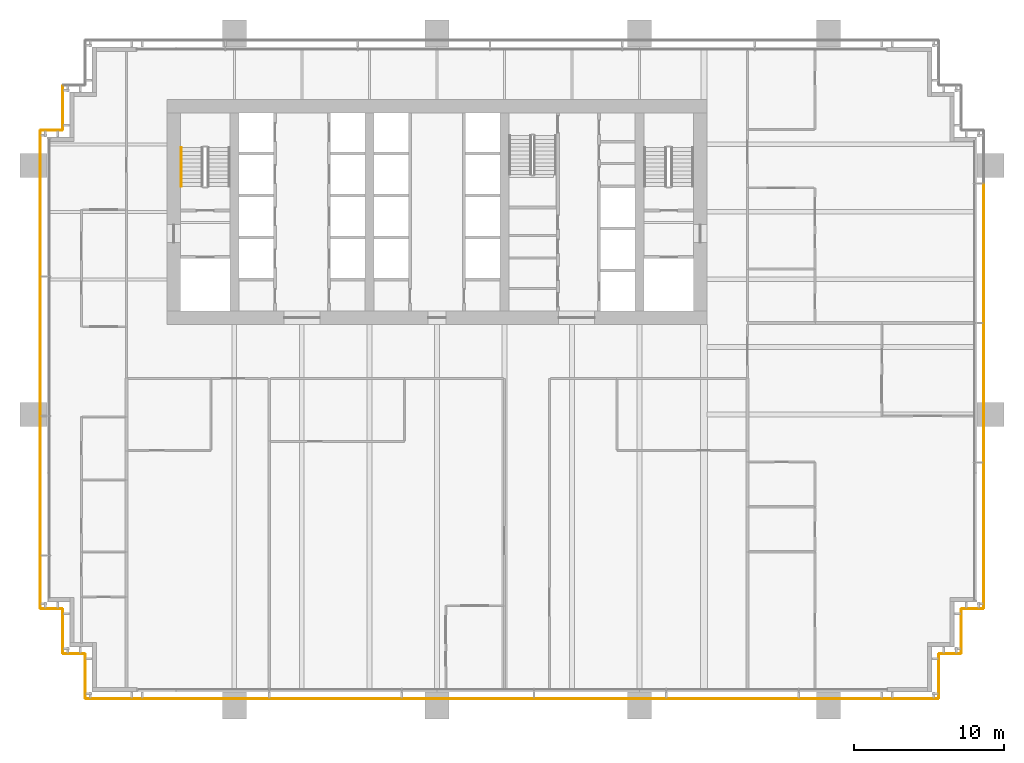
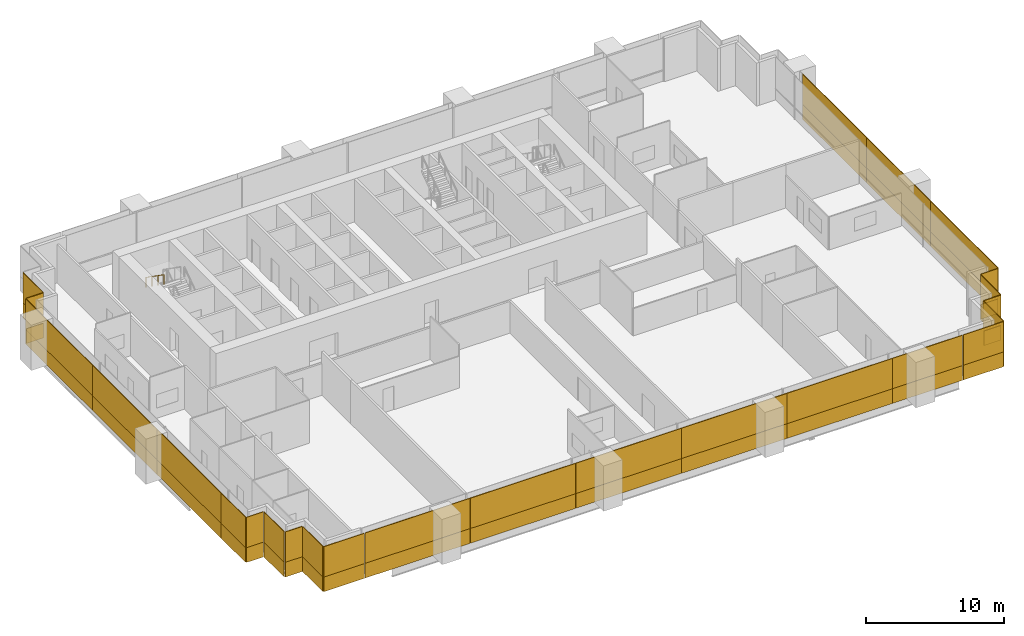
# One storey, part 17 of 19: 50 coverings, 1 railing.
"""IFC4 building model written with IfcOpenShell, lengths in metres."""

from ifc_helpers import new_model, si_unit, direction, frame, origin, origin_2d, place, context, subcontext, project, spatial, rectangle, extrude, material, layer, layer_set, type_object, element, save


model = new_model("IFC4")

# Units and contexts
model_context = context("Model", 3, precision=1e-05, world=origin(), true_north=direction((0.0, 1.0)))
body_context = subcontext(model_context, "Body", "Model", "MODEL_VIEW")
ifc_project = project(units=[si_unit("LENGTHUNIT", "METRE"), si_unit("AREAUNIT", "SQUARE_METRE"), si_unit("VOLUMEUNIT", "CUBIC_METRE"), si_unit("PLANEANGLEUNIT", "RADIAN"), si_unit("MASSUNIT", "GRAM", prefix="KILO")], contexts=[model_context])

# Site, building, storey
site_placement = place(None, origin())
site = spatial("IfcSite", under=ifc_project, at=site_placement, CompositionType="ELEMENT")
building_placement = place(site_placement, origin())
building = spatial("IfcBuilding", under=site, at=building_placement, Name="Rattan Terrace Tower", CompositionType="ELEMENT")
storey_placement = place(building_placement, frame((0.0, 0.0, 99.699951171875)))
storey = spatial("IfcBuildingStorey", under=building, at=storey_placement, Name="L22", CompositionType="ELEMENT", Elevation=99.699951171875)

# Railing
ifc_material_1 = material(Name="Powder-coated steel handrail", Category="steel")
railing_type = type_object("IfcRailingType", Name="Core stair handrail", PredefinedType="HANDRAIL", material=ifc_material_1)
railing_placement = place(storey_placement, frame((-17.050048828125, 4.300048828125, 2.181884765625)))
element("IfcRailing", 1, at=railing_placement, inside=storey, type_object=railing_type, Name="L22 S1 stair handrail 2", PredefinedType="HANDRAIL", context=body_context, shape_type="SweptSolid", body=[
    extrude(rectangle(XDim=0.048095703125, YDim=0.048095703125, at=origin_2d()), frame((0.0, 0.0, 0.8759765625), z_axis=(0.0, -0.819521025635, 0.573049115296), x_axis=(1.0, 0.0, 0.0)), (0.0, 0.0, 1.0), 3.172607421875),
    extrude(rectangle(XDim=0.0419921875, YDim=0.0419921875, at=origin_2d()), origin(), (0.0, 0.0, 1.0), 0.851806640625),
    extrude(rectangle(XDim=0.0419921875, YDim=0.0419921875, at=origin_2d()), frame((0.0, -0.86669921875, 0.60595703125)), (0.0, 0.0, 1.0), 0.851806640625),
    extrude(rectangle(XDim=0.0419921875, YDim=0.0419921875, at=origin_2d()), frame((0.0, -1.7333984375, 1.212158203125)), (0.0, 0.0, 1.0), 0.851806640625),
    extrude(rectangle(XDim=0.0419921875, YDim=0.0419921875, at=origin_2d()), frame((0.0, -2.60009765625, 1.818115234375)), (0.0, 0.0, 1.0), 0.851806640625),
])

# Coverings
ifc_material_2 = material(Name="Solid terracotta", Category="masonry")
ifc_layer_1 = layer(ifc_material_2, 0.06005859375)
ifc_layer_set_1 = layer_set([ifc_layer_1], Name="Facade Terracotta Band Panel")
covering_type_1 = type_object("IfcCoveringType", Name="Facade Terracotta Band Panel", PredefinedType="CLADDING", material=ifc_layer_set_1)
covering_1_placement = place(storey_placement, frame((31.72509765625, -32.449951171875, -0.18994140625), z_axis=(0.0, 0.0, 1.0), x_axis=(1.0, 0.0, 0.0)))
element("IfcCovering", 2, at=covering_1_placement, inside=storey, type_object=covering_type_1, Name="OUTER SKIN panel L22-1A", PredefinedType="CLADDING", context=body_context, shape_type="SweptSolid", body=[
    extrude(rectangle(XDim=3.3701171875, YDim=0.06005859375, at=origin_2d()), origin(), (0.0, 0.0, 1.0), 1.300048828125),
])
covering_2_placement = place(storey_placement, frame((33.449951171875, -30.949951171875, -0.18994140625), z_axis=(0.0, 0.0, 1.0), x_axis=(0.0, 1.0, 0.0)))
element("IfcCovering", 3, at=covering_2_placement, inside=storey, type_object=covering_type_1, Name="OUTER SKIN panel L22-2A", PredefinedType="CLADDING", context=body_context, shape_type="SweptSolid", body=[
    extrude(rectangle(XDim=2.919921875, YDim=0.06005859375, at=origin_2d()), origin(), (0.0, 0.0, 1.0), 1.300048828125),
])
covering_3_placement = place(storey_placement, frame((34.199951171875, -29.449951171875, -0.18994140625), z_axis=(0.0, 0.0, 1.0), x_axis=(1.0, 0.0, 0.0)))
element("IfcCovering", 4, at=covering_3_placement, inside=storey, type_object=covering_type_1, Name="OUTER SKIN panel L22-3A", PredefinedType="CLADDING", context=body_context, shape_type="SweptSolid", body=[
    extrude(rectangle(XDim=1.419921875, YDim=0.06005859375, at=origin_2d()), origin(), (0.0, 0.0, 1.0), 1.300048828125),
])
covering_4_placement = place(storey_placement, frame((34.949951171875, -27.949951171875, -0.18994140625), z_axis=(0.0, 0.0, 1.0), x_axis=(0.0, 1.0, 0.0)))
element("IfcCovering", 5, at=covering_4_placement, inside=storey, type_object=covering_type_1, Name="OUTER SKIN panel L22-4A", PredefinedType="CLADDING", context=body_context, shape_type="SweptSolid", body=[
    extrude(rectangle(XDim=2.919921875, YDim=0.06005859375, at=origin_2d()), origin(), (0.0, 0.0, 1.0), 1.300048828125),
])
covering_5_placement = place(storey_placement, frame((35.699951171875, -26.449951171875, -0.18994140625), z_axis=(0.0, 0.0, 1.0), x_axis=(1.0, 0.0, 0.0)))
element("IfcCovering", 6, at=covering_5_placement, inside=storey, type_object=covering_type_1, Name="OUTER SKIN panel L22-5A", PredefinedType="CLADDING", context=body_context, shape_type="SweptSolid", body=[
    extrude(rectangle(XDim=1.419921875, YDim=0.06005859375, at=origin_2d()), origin(), (0.0, 0.0, 1.0), 1.300048828125),
])
covering_6_placement = place(storey_placement, frame((36.449951171875, -21.56005859375, -0.18994140625), z_axis=(0.0, 0.0, 1.0), x_axis=(0.0, 1.0, 0.0)))
element("IfcCovering", 7, at=covering_6_placement, inside=storey, type_object=covering_type_1, Name="OUTER SKIN panel L22-6A", PredefinedType="CLADDING", context=body_context, shape_type="SweptSolid", body=[
    extrude(rectangle(XDim=9.699951171875, YDim=0.06005859375, at=origin_2d()), origin(), (0.0, 0.0, 1.0), 1.300048828125),
])
for number, where, z_axis, x_axis, name in (
    (8, (36.449951171875, -12.050048828125, -0.18994140625), (0.0, 0.0, 1.0), (0.0, 1.0, 0.0), "OUTER SKIN panel L22-7A"),
    (9, (36.449951171875, -2.75, -0.18994140625), (0.0, 0.0, 1.0), (0.0, 1.0, 0.0), "OUTER SKIN panel L22-8A"),
):
    element("IfcCovering", number, at=place(storey_placement, frame(where, z_axis=z_axis, x_axis=x_axis)), inside=storey, type_object=covering_type_1, Name=name, PredefinedType="CLADDING", context=body_context, shape_type="SweptSolid", body=[
        extrude(rectangle(XDim=9.280029296875, YDim=0.06005859375, at=origin_2d()), origin(), (0.0, 0.0, 1.0), 1.300048828125),
    ])
covering_7_placement = place(storey_placement, frame((-24.949951171875, 6.949951171875, -0.18994140625), z_axis=(0.0, 0.0, 1.0), x_axis=(0.0, -1.0, 0.0)))
element("IfcCovering", 10, at=covering_7_placement, inside=storey, type_object=covering_type_1, Name="OUTER SKIN panel L22-24A", PredefinedType="CLADDING", context=body_context, shape_type="SweptSolid", body=[
    extrude(rectangle(XDim=2.919921875, YDim=0.06005859375, at=origin_2d()), origin(), (0.0, 0.0, 1.0), 1.300048828125),
])
covering_8_placement = place(storey_placement, frame((-25.699951171875, 5.449951171875, -0.18994140625), z_axis=(0.0, 0.0, 1.0), x_axis=(-1.0, 0.0, 0.0)))
element("IfcCovering", 11, at=covering_8_placement, inside=storey, type_object=covering_type_1, Name="OUTER SKIN panel L22-25A", PredefinedType="CLADDING", context=body_context, shape_type="SweptSolid", body=[
    extrude(rectangle(XDim=1.419921875, YDim=0.06005859375, at=origin_2d()), origin(), (0.0, 0.0, 1.0), 1.300048828125),
])
covering_9_placement = place(storey_placement, frame((-26.449951171875, 0.56005859375, -0.18994140625), z_axis=(0.0, 0.0, 1.0), x_axis=(0.0, -1.0, 0.0)))
element("IfcCovering", 12, at=covering_9_placement, inside=storey, type_object=covering_type_1, Name="OUTER SKIN panel L22-26A", PredefinedType="CLADDING", context=body_context, shape_type="SweptSolid", body=[
    extrude(rectangle(XDim=9.699951171875, YDim=0.06005859375, at=origin_2d()), origin(), (0.0, 0.0, 1.0), 1.300048828125),
])
for number, where, z_axis, x_axis, name in (
    (13, (-26.449951171875, -8.949951171875, -0.18994140625), (0.0, 0.0, 1.0), (0.0, -1.0, 0.0), "OUTER SKIN panel L22-27A"),
    (14, (-26.449951171875, -18.25, -0.18994140625), (0.0, 0.0, 1.0), (0.0, -1.0, 0.0), "OUTER SKIN panel L22-28A"),
):
    element("IfcCovering", number, at=place(storey_placement, frame(where, z_axis=z_axis, x_axis=x_axis)), inside=storey, type_object=covering_type_1, Name=name, PredefinedType="CLADDING", context=body_context, shape_type="SweptSolid", body=[
        extrude(rectangle(XDim=9.280029296875, YDim=0.06005859375, at=origin_2d()), origin(), (0.0, 0.0, 1.0), 1.300048828125),
    ])
covering_10_placement = place(storey_placement, frame((-26.449951171875, -24.659912109375, -0.18994140625), z_axis=(0.0, 0.0, 1.0), x_axis=(0.0, -1.0, 0.0)))
element("IfcCovering", 15, at=covering_10_placement, inside=storey, type_object=covering_type_1, Name="OUTER SKIN panel L22-29A", PredefinedType="CLADDING", context=body_context, shape_type="SweptSolid", body=[
    extrude(rectangle(XDim=3.5, YDim=0.06005859375, at=origin_2d()), origin(), (0.0, 0.0, 1.0), 1.300048828125),
])
covering_11_placement = place(storey_placement, frame((-25.699951171875, -26.449951171875, -0.18994140625), z_axis=(0.0, 0.0, 1.0), x_axis=(1.0, 0.0, 0.0)))
element("IfcCovering", 16, at=covering_11_placement, inside=storey, type_object=covering_type_1, Name="OUTER SKIN panel L22-30A", PredefinedType="CLADDING", context=body_context, shape_type="SweptSolid", body=[
    extrude(rectangle(XDim=1.419921875, YDim=0.06005859375, at=origin_2d()), origin(), (0.0, 0.0, 1.0), 1.300048828125),
])
covering_12_placement = place(storey_placement, frame((-24.949951171875, -27.949951171875, -0.18994140625), z_axis=(0.0, 0.0, 1.0), x_axis=(0.0, -1.0, 0.0)))
element("IfcCovering", 17, at=covering_12_placement, inside=storey, type_object=covering_type_1, Name="OUTER SKIN panel L22-31A", PredefinedType="CLADDING", context=body_context, shape_type="SweptSolid", body=[
    extrude(rectangle(XDim=2.919921875, YDim=0.06005859375, at=origin_2d()), origin(), (0.0, 0.0, 1.0), 1.300048828125),
])
covering_13_placement = place(storey_placement, frame((-24.199951171875, -29.449951171875, -0.18994140625), z_axis=(0.0, 0.0, 1.0), x_axis=(1.0, 0.0, 0.0)))
element("IfcCovering", 18, at=covering_13_placement, inside=storey, type_object=covering_type_1, Name="OUTER SKIN panel L22-32A", PredefinedType="CLADDING", context=body_context, shape_type="SweptSolid", body=[
    extrude(rectangle(XDim=1.419921875, YDim=0.06005859375, at=origin_2d()), origin(), (0.0, 0.0, 1.0), 1.300048828125),
])
covering_14_placement = place(storey_placement, frame((-23.449951171875, -30.949951171875, -0.18994140625), z_axis=(0.0, 0.0, 1.0), x_axis=(0.0, -1.0, 0.0)))
element("IfcCovering", 19, at=covering_14_placement, inside=storey, type_object=covering_type_1, Name="OUTER SKIN panel L22-33A", PredefinedType="CLADDING", context=body_context, shape_type="SweptSolid", body=[
    extrude(rectangle(XDim=2.919921875, YDim=0.06005859375, at=origin_2d()), origin(), (0.0, 0.0, 1.0), 1.300048828125),
])
covering_15_placement = place(storey_placement, frame((-21.72509765625, -32.449951171875, -0.18994140625), z_axis=(0.0, 0.0, 1.0), x_axis=(1.0, 0.0, 0.0)))
element("IfcCovering", 20, at=covering_15_placement, inside=storey, type_object=covering_type_1, Name="OUTER SKIN panel L22-34A", PredefinedType="CLADDING", context=body_context, shape_type="SweptSolid", body=[
    extrude(rectangle(XDim=3.3701171875, YDim=0.06005859375, at=origin_2d()), origin(), (0.0, 0.0, 1.0), 1.300048828125),
])
covering_16_placement = place(storey_placement, frame((-15.573486328125, -32.449951171875, -0.18994140625), z_axis=(0.0, 0.0, 1.0), x_axis=(1.0, 0.0, 0.0)))
element("IfcCovering", 21, at=covering_16_placement, inside=storey, type_object=covering_type_1, Name="OUTER SKIN panel L22-35A", PredefinedType="CLADDING", context=body_context, shape_type="SweptSolid", body=[
    extrude(rectangle(XDim=8.77294921875, YDim=0.06005859375, at=origin_2d()), origin(), (0.0, 0.0, 1.0), 1.300048828125),
])
for number, where, z_axis, x_axis, name in (
    (22, (-6.765380859375, -32.449951171875, -0.18994140625), (0.0, 0.0, 1.0), (1.0, 0.0, 0.0), "OUTER SKIN panel L22-36A"),
    (23, (2.0576171875, -32.449951171875, -0.18994140625), (0.0, 0.0, 1.0), (1.0, 0.0, 0.0), "OUTER SKIN panel L22-37A"),
    (24, (10.880615234375, -32.449951171875, -0.18994140625), (0.0, 0.0, 1.0), (1.0, 0.0, 0.0), "OUTER SKIN panel L22-38A"),
    (25, (19.70361328125, -32.449951171875, -0.18994140625), (0.0, 0.0, 1.0), (1.0, 0.0, 0.0), "OUTER SKIN panel L22-39A"),
):
    element("IfcCovering", number, at=place(storey_placement, frame(where, z_axis=z_axis, x_axis=x_axis)), inside=storey, type_object=covering_type_1, Name=name, PredefinedType="CLADDING", context=body_context, shape_type="SweptSolid", body=[
        extrude(rectangle(XDim=8.802978515625, YDim=0.06005859375, at=origin_2d()), origin(), (0.0, 0.0, 1.0), 1.300048828125),
    ])
covering_17_placement = place(storey_placement, frame((27.04248046875, -32.449951171875, -0.18994140625), z_axis=(0.0, 0.0, 1.0), x_axis=(1.0, 0.0, 0.0)))
element("IfcCovering", 26, at=covering_17_placement, inside=storey, type_object=covering_type_1, Name="OUTER SKIN panel L22-40A", PredefinedType="CLADDING", context=body_context, shape_type="SweptSolid", body=[
    extrude(rectangle(XDim=5.8349609375, YDim=0.06005859375, at=origin_2d()), origin(), (0.0, 0.0, 1.0), 1.300048828125),
])
ifc_material_3 = material(Name="Perforated terracotta", Category="masonry")
ifc_layer_2 = layer(ifc_material_3, 0.06005859375)
ifc_layer_set_2 = layer_set([ifc_layer_2], Name="Facade Terracotta Screen Panel")
covering_type_2 = type_object("IfcCoveringType", Name="Facade Terracotta Screen Panel", PredefinedType="CLADDING", material=ifc_layer_set_2)
covering_18_placement = place(storey_placement, frame((31.72509765625, -32.449951171875, 1.10986328125), z_axis=(0.0, 0.0, 1.0), x_axis=(1.0, 0.0, 0.0)))
element("IfcCovering", 27, at=covering_18_placement, inside=storey, type_object=covering_type_2, Name="OUTER SKIN panel L22-1B", PredefinedType="CLADDING", context=body_context, shape_type="SweptSolid", body=[
    extrude(rectangle(XDim=3.3701171875, YDim=0.06005859375, at=origin_2d()), origin(), (0.0, 0.0, 1.0), 2.679931640625),
])
covering_19_placement = place(storey_placement, frame((33.449951171875, -30.949951171875, 1.10986328125), z_axis=(0.0, 0.0, 1.0), x_axis=(0.0, 1.0, 0.0)))
element("IfcCovering", 28, at=covering_19_placement, inside=storey, type_object=covering_type_2, Name="OUTER SKIN panel L22-2B", PredefinedType="CLADDING", context=body_context, shape_type="SweptSolid", body=[
    extrude(rectangle(XDim=2.919921875, YDim=0.06005859375, at=origin_2d()), origin(), (0.0, 0.0, 1.0), 2.679931640625),
])
covering_20_placement = place(storey_placement, frame((34.199951171875, -29.449951171875, 1.10986328125), z_axis=(0.0, 0.0, 1.0), x_axis=(1.0, 0.0, 0.0)))
element("IfcCovering", 29, at=covering_20_placement, inside=storey, type_object=covering_type_2, Name="OUTER SKIN panel L22-3B", PredefinedType="CLADDING", context=body_context, shape_type="SweptSolid", body=[
    extrude(rectangle(XDim=1.419921875, YDim=0.06005859375, at=origin_2d()), origin(), (0.0, 0.0, 1.0), 2.679931640625),
])
covering_21_placement = place(storey_placement, frame((34.949951171875, -27.949951171875, 1.10986328125), z_axis=(0.0, 0.0, 1.0), x_axis=(0.0, 1.0, 0.0)))
element("IfcCovering", 30, at=covering_21_placement, inside=storey, type_object=covering_type_2, Name="OUTER SKIN panel L22-4B", PredefinedType="CLADDING", context=body_context, shape_type="SweptSolid", body=[
    extrude(rectangle(XDim=2.919921875, YDim=0.06005859375, at=origin_2d()), origin(), (0.0, 0.0, 1.0), 2.679931640625),
])
covering_22_placement = place(storey_placement, frame((35.699951171875, -26.449951171875, 1.10986328125), z_axis=(0.0, 0.0, 1.0), x_axis=(1.0, 0.0, 0.0)))
element("IfcCovering", 31, at=covering_22_placement, inside=storey, type_object=covering_type_2, Name="OUTER SKIN panel L22-5B", PredefinedType="CLADDING", context=body_context, shape_type="SweptSolid", body=[
    extrude(rectangle(XDim=1.419921875, YDim=0.06005859375, at=origin_2d()), origin(), (0.0, 0.0, 1.0), 2.679931640625),
])
covering_23_placement = place(storey_placement, frame((36.449951171875, -21.56005859375, 1.10986328125), z_axis=(0.0, 0.0, 1.0), x_axis=(0.0, 1.0, 0.0)))
element("IfcCovering", 32, at=covering_23_placement, inside=storey, type_object=covering_type_2, Name="OUTER SKIN panel L22-6B", PredefinedType="CLADDING", context=body_context, shape_type="SweptSolid", body=[
    extrude(rectangle(XDim=9.699951171875, YDim=0.06005859375, at=origin_2d()), origin(), (0.0, 0.0, 1.0), 2.679931640625),
])
for number, where, z_axis, x_axis, name in (
    (33, (36.449951171875, -12.050048828125, 1.10986328125), (0.0, 0.0, 1.0), (0.0, 1.0, 0.0), "OUTER SKIN panel L22-7B"),
    (34, (36.449951171875, -2.75, 1.10986328125), (0.0, 0.0, 1.0), (0.0, 1.0, 0.0), "OUTER SKIN panel L22-8B"),
):
    element("IfcCovering", number, at=place(storey_placement, frame(where, z_axis=z_axis, x_axis=x_axis)), inside=storey, type_object=covering_type_2, Name=name, PredefinedType="CLADDING", context=body_context, shape_type="SweptSolid", body=[
        extrude(rectangle(XDim=9.280029296875, YDim=0.06005859375, at=origin_2d()), origin(), (0.0, 0.0, 1.0), 2.679931640625),
    ])
covering_24_placement = place(storey_placement, frame((-24.949951171875, 6.949951171875, 1.10986328125), z_axis=(0.0, 0.0, 1.0), x_axis=(0.0, -1.0, 0.0)))
element("IfcCovering", 35, at=covering_24_placement, inside=storey, type_object=covering_type_2, Name="OUTER SKIN panel L22-24B", PredefinedType="CLADDING", context=body_context, shape_type="SweptSolid", body=[
    extrude(rectangle(XDim=2.919921875, YDim=0.06005859375, at=origin_2d()), origin(), (0.0, 0.0, 1.0), 2.679931640625),
])
covering_25_placement = place(storey_placement, frame((-25.699951171875, 5.449951171875, 1.10986328125), z_axis=(0.0, 0.0, 1.0), x_axis=(-1.0, 0.0, 0.0)))
element("IfcCovering", 36, at=covering_25_placement, inside=storey, type_object=covering_type_2, Name="OUTER SKIN panel L22-25B", PredefinedType="CLADDING", context=body_context, shape_type="SweptSolid", body=[
    extrude(rectangle(XDim=1.419921875, YDim=0.06005859375, at=origin_2d()), origin(), (0.0, 0.0, 1.0), 2.679931640625),
])
covering_26_placement = place(storey_placement, frame((-26.449951171875, 0.56005859375, 1.10986328125), z_axis=(0.0, 0.0, 1.0), x_axis=(0.0, -1.0, 0.0)))
element("IfcCovering", 37, at=covering_26_placement, inside=storey, type_object=covering_type_2, Name="OUTER SKIN panel L22-26B", PredefinedType="CLADDING", context=body_context, shape_type="SweptSolid", body=[
    extrude(rectangle(XDim=9.699951171875, YDim=0.06005859375, at=origin_2d()), origin(), (0.0, 0.0, 1.0), 2.679931640625),
])
for number, where, z_axis, x_axis, name in (
    (38, (-26.449951171875, -8.949951171875, 1.10986328125), (0.0, 0.0, 1.0), (0.0, -1.0, 0.0), "OUTER SKIN panel L22-27B"),
    (39, (-26.449951171875, -18.25, 1.10986328125), (0.0, 0.0, 1.0), (0.0, -1.0, 0.0), "OUTER SKIN panel L22-28B"),
):
    element("IfcCovering", number, at=place(storey_placement, frame(where, z_axis=z_axis, x_axis=x_axis)), inside=storey, type_object=covering_type_2, Name=name, PredefinedType="CLADDING", context=body_context, shape_type="SweptSolid", body=[
        extrude(rectangle(XDim=9.280029296875, YDim=0.06005859375, at=origin_2d()), origin(), (0.0, 0.0, 1.0), 2.679931640625),
    ])
covering_27_placement = place(storey_placement, frame((-26.449951171875, -24.659912109375, 1.10986328125), z_axis=(0.0, 0.0, 1.0), x_axis=(0.0, -1.0, 0.0)))
element("IfcCovering", 40, at=covering_27_placement, inside=storey, type_object=covering_type_2, Name="OUTER SKIN panel L22-29B", PredefinedType="CLADDING", context=body_context, shape_type="SweptSolid", body=[
    extrude(rectangle(XDim=3.5, YDim=0.06005859375, at=origin_2d()), origin(), (0.0, 0.0, 1.0), 2.679931640625),
])
covering_28_placement = place(storey_placement, frame((-25.699951171875, -26.449951171875, 1.10986328125), z_axis=(0.0, 0.0, 1.0), x_axis=(1.0, 0.0, 0.0)))
element("IfcCovering", 41, at=covering_28_placement, inside=storey, type_object=covering_type_2, Name="OUTER SKIN panel L22-30B", PredefinedType="CLADDING", context=body_context, shape_type="SweptSolid", body=[
    extrude(rectangle(XDim=1.419921875, YDim=0.06005859375, at=origin_2d()), origin(), (0.0, 0.0, 1.0), 2.679931640625),
])
covering_29_placement = place(storey_placement, frame((-24.949951171875, -27.949951171875, 1.10986328125), z_axis=(0.0, 0.0, 1.0), x_axis=(0.0, -1.0, 0.0)))
element("IfcCovering", 42, at=covering_29_placement, inside=storey, type_object=covering_type_2, Name="OUTER SKIN panel L22-31B", PredefinedType="CLADDING", context=body_context, shape_type="SweptSolid", body=[
    extrude(rectangle(XDim=2.919921875, YDim=0.06005859375, at=origin_2d()), origin(), (0.0, 0.0, 1.0), 2.679931640625),
])
covering_30_placement = place(storey_placement, frame((-24.199951171875, -29.449951171875, 1.10986328125), z_axis=(0.0, 0.0, 1.0), x_axis=(1.0, 0.0, 0.0)))
element("IfcCovering", 43, at=covering_30_placement, inside=storey, type_object=covering_type_2, Name="OUTER SKIN panel L22-32B", PredefinedType="CLADDING", context=body_context, shape_type="SweptSolid", body=[
    extrude(rectangle(XDim=1.419921875, YDim=0.06005859375, at=origin_2d()), origin(), (0.0, 0.0, 1.0), 2.679931640625),
])
covering_31_placement = place(storey_placement, frame((-23.449951171875, -30.949951171875, 1.10986328125), z_axis=(0.0, 0.0, 1.0), x_axis=(0.0, -1.0, 0.0)))
element("IfcCovering", 44, at=covering_31_placement, inside=storey, type_object=covering_type_2, Name="OUTER SKIN panel L22-33B", PredefinedType="CLADDING", context=body_context, shape_type="SweptSolid", body=[
    extrude(rectangle(XDim=2.919921875, YDim=0.06005859375, at=origin_2d()), origin(), (0.0, 0.0, 1.0), 2.679931640625),
])
covering_32_placement = place(storey_placement, frame((-21.72509765625, -32.449951171875, 1.10986328125), z_axis=(0.0, 0.0, 1.0), x_axis=(1.0, 0.0, 0.0)))
element("IfcCovering", 45, at=covering_32_placement, inside=storey, type_object=covering_type_2, Name="OUTER SKIN panel L22-34B", PredefinedType="CLADDING", context=body_context, shape_type="SweptSolid", body=[
    extrude(rectangle(XDim=3.3701171875, YDim=0.06005859375, at=origin_2d()), origin(), (0.0, 0.0, 1.0), 2.679931640625),
])
covering_33_placement = place(storey_placement, frame((-15.573486328125, -32.449951171875, 1.10986328125), z_axis=(0.0, 0.0, 1.0), x_axis=(1.0, 0.0, 0.0)))
element("IfcCovering", 46, at=covering_33_placement, inside=storey, type_object=covering_type_2, Name="OUTER SKIN panel L22-35B", PredefinedType="CLADDING", context=body_context, shape_type="SweptSolid", body=[
    extrude(rectangle(XDim=8.77294921875, YDim=0.06005859375, at=origin_2d()), origin(), (0.0, 0.0, 1.0), 2.679931640625),
])
for number, where, z_axis, x_axis, name in (
    (47, (-6.765380859375, -32.449951171875, 1.10986328125), (0.0, 0.0, 1.0), (1.0, 0.0, 0.0), "OUTER SKIN panel L22-36B"),
    (48, (2.0576171875, -32.449951171875, 1.10986328125), (0.0, 0.0, 1.0), (1.0, 0.0, 0.0), "OUTER SKIN panel L22-37B"),
    (49, (10.880615234375, -32.449951171875, 1.10986328125), (0.0, 0.0, 1.0), (1.0, 0.0, 0.0), "OUTER SKIN panel L22-38B"),
    (50, (19.70361328125, -32.449951171875, 1.10986328125), (0.0, 0.0, 1.0), (1.0, 0.0, 0.0), "OUTER SKIN panel L22-39B"),
):
    element("IfcCovering", number, at=place(storey_placement, frame(where, z_axis=z_axis, x_axis=x_axis)), inside=storey, type_object=covering_type_2, Name=name, PredefinedType="CLADDING", context=body_context, shape_type="SweptSolid", body=[
        extrude(rectangle(XDim=8.802978515625, YDim=0.06005859375, at=origin_2d()), origin(), (0.0, 0.0, 1.0), 2.679931640625),
    ])
covering_34_placement = place(storey_placement, frame((27.04248046875, -32.449951171875, 1.10986328125), z_axis=(0.0, 0.0, 1.0), x_axis=(1.0, 0.0, 0.0)))
element("IfcCovering", 51, at=covering_34_placement, inside=storey, type_object=covering_type_2, Name="OUTER SKIN panel L22-40B", PredefinedType="CLADDING", context=body_context, shape_type="SweptSolid", body=[
    extrude(rectangle(XDim=5.8349609375, YDim=0.06005859375, at=origin_2d()), origin(), (0.0, 0.0, 1.0), 2.679931640625),
])

save(model, "model.ifc")
